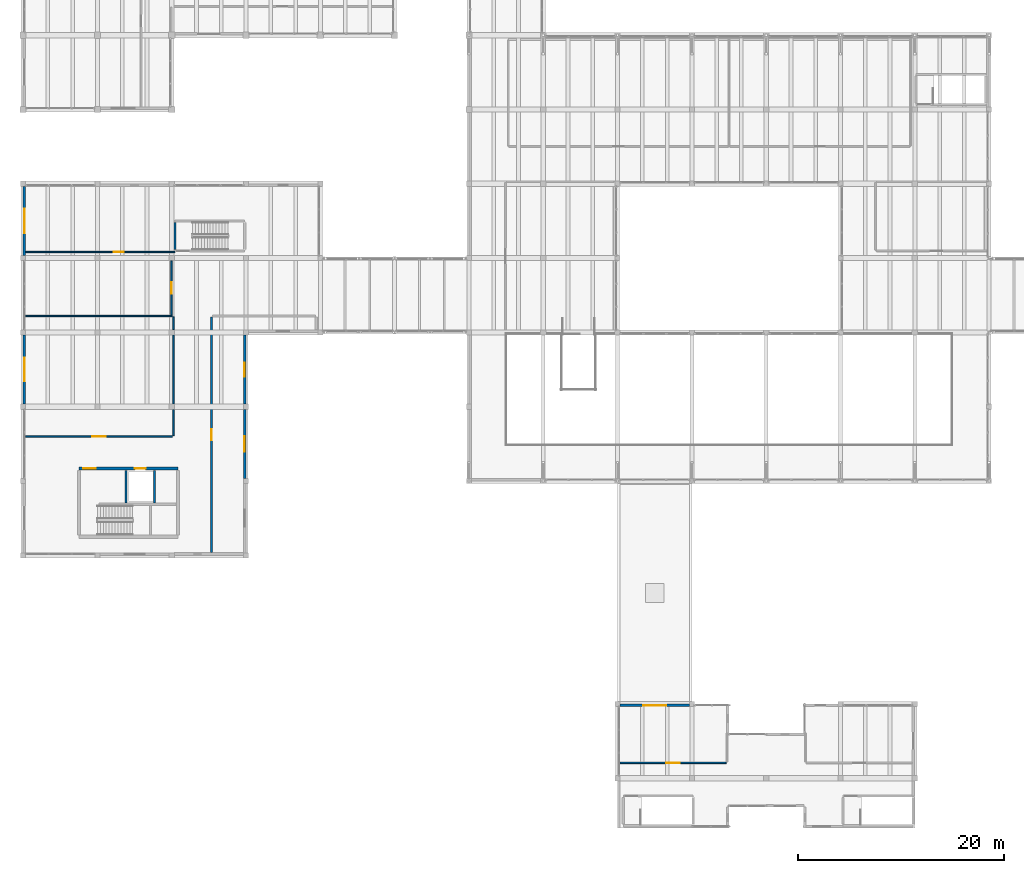
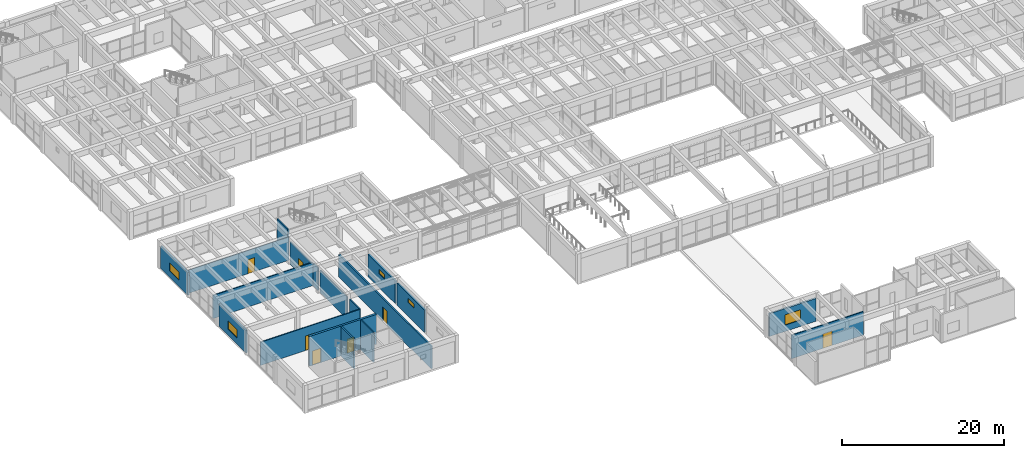
# One storey, part 134 of 153: 18 walls, 7 doors, 5 windows, 12 openings.
"""IFC4 building model written with IfcOpenShell, lengths in metres."""

import ifcopenshell
import ifcopenshell.guid

model = None  # the IFC model being written
_history = None  # IfcOwnerHistory: only IFC2X3 demands one
_inside = {}  # id of a spatial element -> (the spatial element, [elements in it])
_under = {}  # id of a project, library or spatial element -> (it, [spatial elements below it])
_declared = {}  # id of a project -> (the project, [libraries it declares])
_typed = {}  # id of a type object -> (the type object, [elements of that type])
_made_of = {}  # id of a material, layer set ... -> (it, [elements and type objects made of it])


def new_model(schema):
    """Start an empty IFC model of exactly this schema.

    Asked for "IFC4X3", IfcOpenShell would pick the latest addendum, in which some entities
    have other attributes; the version numbers below select the first issue.
    IFC2X3 requires an IfcOwnerHistory on every rooted entity: one is made here for all.
    """
    global model, _history
    if schema == "IFC4X3":
        model = ifcopenshell.file(schema_version=(4, 3, 0, 0))
    else:
        model = ifcopenshell.file(schema=schema)
    _inside.clear()
    _under.clear()
    _declared.clear()
    _typed.clear()
    _made_of.clear()
    _history = None
    if model.schema == "IFC2X3":
        org = make("IfcOrganization", Name="unknown")
        user = make(
            "IfcPersonAndOrganization",
            ThePerson=make("IfcPerson", FamilyName="unknown"),
            TheOrganization=org,
        )
        app = make(
            "IfcApplication",
            ApplicationDeveloper=org,
            Version="unknown",
            ApplicationFullName="unknown",
            ApplicationIdentifier="unknown",
        )
        _history = make(
            "IfcOwnerHistory",
            OwningUser=user,
            OwningApplication=app,
            ChangeAction="ADDED",
            CreationDate=0,
        )
    return model


def make(cls, **values):
    """One entity of the class cls with the attributes given. An attribute that is None is left unset."""
    return model.create_entity(
        cls, **{name: value for name, value in values.items() if value is not None}
    )


def rooted(cls, **values):
    """An entity with a GlobalId (a new one), such as an element, a storey or a relation."""
    return make(cls, GlobalId=ifcopenshell.guid.new(), OwnerHistory=_history, **values)


def si_unit(unit_type, name, prefix=None):
    """IfcSIUnit, for example si_unit("LENGTHUNIT", "METRE", prefix="MILLI")."""
    return make("IfcSIUnit", UnitType=unit_type, Prefix=prefix, Name=name)


def assignment(units):
    """IfcUnitAssignment: the units of a project."""
    return None if units is None else make("IfcUnitAssignment", Units=units)


def point(xyz):
    """IfcCartesianPoint."""
    return None if xyz is None else make("IfcCartesianPoint", Coordinates=xyz)


def direction(xyz):
    """IfcDirection."""
    return None if xyz is None else make("IfcDirection", DirectionRatios=xyz)


def frame(location, z_axis=None, x_axis=None):
    """IfcAxis2Placement3D, a coordinate frame: its origin and axes. An axis left out is left unset."""
    return make(
        "IfcAxis2Placement3D",
        Location=point(location),
        Axis=direction(z_axis),
        RefDirection=direction(x_axis),
    )


def frame_2d(location, x_axis=None):
    """IfcAxis2Placement2D, a coordinate frame in the plane: its origin and x axis."""
    return make(
        "IfcAxis2Placement2D", Location=point(location), RefDirection=direction(x_axis)
    )


def origin():
    """The frame at (0, 0, 0) with its axes left unset."""
    return frame((0.0, 0.0, 0.0))


def place(relative_to, where):
    """IfcLocalPlacement: puts the frame where relative to a parent placement (None: the world)."""
    return make(
        "IfcLocalPlacement", PlacementRelTo=relative_to, RelativePlacement=where
    )


def context(
    kind, dimensions, precision=None, world=None, true_north=None, identifier=None
):
    """IfcGeometricRepresentationContext, for example the 3D "Model" context."""
    return make(
        "IfcGeometricRepresentationContext",
        ContextIdentifier=identifier,
        ContextType=kind,
        CoordinateSpaceDimension=dimensions,
        Precision=precision,
        WorldCoordinateSystem=world,
        TrueNorth=true_north,
    )


def subcontext(parent, identifier, kind, view, scale=None):
    """IfcGeometricRepresentationSubContext, for example "Body" below "Model"."""
    return make(
        "IfcGeometricRepresentationSubContext",
        ContextIdentifier=identifier,
        ContextType=kind,
        ParentContext=parent,
        TargetScale=scale,
        TargetView=view,
    )


def project(units=None, contexts=None):
    """IfcProject with its units and contexts."""
    return rooted(
        "IfcProject",
        Name="project",
        RepresentationContexts=contexts,
        UnitsInContext=assignment(units),
    )


def spatial(cls, under=None, at=None, **own):
    """A site, building, storey or space (cls), placed at a placement, below another one or the project."""
    s = rooted(cls, ObjectPlacement=at, **own)
    if under is not None:
        _under.setdefault(under.id(), (under, []))[1].append(s)
    return s


def profile(cls, at=None, kind="AREA", **sizes):
    """A parametric profile (cls). Its sizes go by their IFC names, for example OverallWidth=200.0."""
    return make(cls, ProfileType=kind, Position=at, **sizes)


def rectangle(**sizes):
    """IfcRectangleProfileDef."""
    return profile("IfcRectangleProfileDef", **sizes)


def extrude(swept, where, along, depth):
    """IfcExtrudedAreaSolid: the profile swept, set in the frame where, extruded along a direction by depth."""
    return make(
        "IfcExtrudedAreaSolid",
        SweptArea=swept,
        Position=where,
        ExtrudedDirection=direction(along),
        Depth=depth,
    )


def shape(context_of_items, identifier, shape_type, items):
    """IfcShapeRepresentation: the items that make up one representation, for example the "Body"."""
    return make(
        "IfcShapeRepresentation",
        ContextOfItems=context_of_items,
        RepresentationIdentifier=identifier,
        RepresentationType=shape_type,
        Items=items,
    )


def material(Name=None, Category=None):
    """IfcMaterial."""
    return make("IfcMaterial", Name=Name, Category=Category)


def layer(
    of_material, thickness, ventilated=None, Name=None, Category=None, Priority=None
):
    """IfcMaterialLayer: one layer of a wall or slab, of a material (None: an air gap)."""
    return make(
        "IfcMaterialLayer",
        Material=of_material,
        LayerThickness=thickness,
        IsVentilated=ventilated,
        Name=Name,
        Category=Category,
        Priority=Priority,
    )


def layer_set(layers, Name=None):
    """IfcMaterialLayerSet."""
    return make("IfcMaterialLayerSet", MaterialLayers=layers, LayerSetName=Name)


def made_of(thing, what):
    """Note that an element or type object is made of a material, layer set ...; save() writes the relation."""
    if what is not None:
        _made_of.setdefault(what.id(), (what, []))[1].append(thing)
    return thing


def type_object(cls, material=None, **own):
    """A type object (cls), such as IfcWallType, which elements share."""
    return made_of(rooted(cls, **own), material)


def element(
    cls,
    number,
    at=None,
    inside=None,
    cuts=None,
    type_object=None,
    material=None,
    context=None,
    identifier="Body",
    shape_type=None,
    held_by="IfcProductDefinitionShape",
    body=None,
    shapes=None,
    **own,
):
    """One element of the class cls, such as IfcWall. Its Tag is "e" and its number.

    at: its placement. inside: the storey or other place that contains it. cuts: it is an
    opening in that element (IfcRelVoidsElement). A single representation is given by context,
    identifier, shape_type and body (its items); several are given by shapes. held_by: the class
    of the entity that holds the representations. save() writes the other relations.
    """
    e = rooted(cls, Tag="e%d" % number, ObjectPlacement=at, **own)
    if body is not None:
        shapes = [shape(context, identifier, shape_type, body)]
    if shapes is not None:
        e.Representation = make(held_by, Representations=shapes)
    if inside is not None:
        _inside.setdefault(inside.id(), (inside, []))[1].append(e)
    if cuts is not None:
        rooted(
            "IfcRelVoidsElement", RelatingBuildingElement=cuts, RelatedOpeningElement=e
        )
    if type_object is not None:
        _typed.setdefault(type_object.id(), (type_object, []))[1].append(e)
    return made_of(e, material)


def fill(opening, filler):
    """IfcRelFillsElement: the door or window that sits in an opening."""
    return rooted(
        "IfcRelFillsElement",
        RelatingOpeningElement=opening,
        RelatedBuildingElement=filler,
    )


def aggregate(whole, parts):
    """IfcRelAggregates: a whole, such as a stair, and the parts it consists of."""
    return rooted("IfcRelAggregates", RelatingObject=whole, RelatedObjects=parts)


def save(model, path):
    """Write the relations noted so far, then the file.

    IfcRelAggregates (storeys below a building ...), IfcRelContainedInSpatialStructure (elements
    in a storey), IfcRelDefinesByType, IfcRelAssociatesMaterial and IfcRelDeclares: one each for
    every whole, place, type object, material and project.
    """
    for whole, parts in _under.values():
        aggregate(whole, parts)
    for where, things in _inside.values():
        rooted(
            "IfcRelContainedInSpatialStructure",
            RelatedElements=things,
            RelatingStructure=where,
        )
    for kind, things in _typed.values():
        rooted("IfcRelDefinesByType", RelatedObjects=things, RelatingType=kind)
    for what, things in _made_of.values():
        rooted("IfcRelAssociatesMaterial", RelatedObjects=things, RelatingMaterial=what)
    for by, libraries in _declared.values():
        rooted("IfcRelDeclares", RelatingContext=by, RelatedDefinitions=libraries)
    model.write(path)


model = new_model("IFC4")

# Units and contexts
model_context = context("Model", 3, precision=1e-05, world=origin(), true_north=direction((0.0, 1.0)))
body_context = subcontext(model_context, "Body", "Model", "MODEL_VIEW")
ifc_project = project(units=[si_unit("LENGTHUNIT", "METRE"), si_unit("AREAUNIT", "SQUARE_METRE"), si_unit("VOLUMEUNIT", "CUBIC_METRE"), si_unit("PLANEANGLEUNIT", "RADIAN"), si_unit("MASSUNIT", "GRAM", prefix="KILO")], contexts=[model_context])

# Site, building, storey
site_placement = place(None, origin())
site = spatial("IfcSite", under=ifc_project, at=site_placement, CompositionType="ELEMENT")
building_placement = place(site_placement, origin())
building = spatial("IfcBuilding", under=site, at=building_placement, Name="Bramvelor Terrace Health Centre", CompositionType="ELEMENT")
storey_placement = place(building_placement, frame((0.0, 0.0, 4.800048828125)))
storey = spatial("IfcBuildingStorey", under=building, at=storey_placement, Name="L02", CompositionType="ELEMENT", Elevation=4.800048828125)

# Wall, opening, door
ifc_material_1 = material(Name="Acoustic clinical partition board", Category="gypsum")
ifc_layer_1 = layer(ifc_material_1, 0.110107421875)
ifc_layer_set_1 = layer_set([ifc_layer_1], Name="Acoustic clinical partition board")
wall_type_1 = type_object("IfcWallType", Name="WL-CLN-110", PredefinedType="PARTITIONING", material=ifc_layer_set_1)
wall_1_placement = place(storey_placement, frame((0.260009765625, 58.199951171875, 0.0), z_axis=(0.0, 0.0, 1.0), x_axis=(1.0, 0.0, 0.0)))
wall_1 = element("IfcWall", 1, at=wall_1_placement, inside=storey, type_object=wall_type_1, Name="L02 Interior Partition 216", PredefinedType="PARTITIONING", context=body_context, shape_type="SweptSolid", body=[
    extrude(rectangle(XDim=14.409912109375, YDim=0.110107421875, at=frame_2d((7.205078125, 0.0))), origin(), (0.0, 0.0, 1.0), 3.5),
])
opening_1_placement = place(wall_1_placement, frame((8.510009765625, 0.0, 0.0)))
opening_1 = element("IfcOpeningElement", 2, at=opening_1_placement, cuts=wall_1, Name="Opening ID-C10", PredefinedType="OPENING", context=body_context, shape_type="SweptSolid", body=[
    extrude(rectangle(XDim=0.989990234375, YDim=2.1201171875, at=frame_2d((0.4951171875, 1.06005859375))), frame((0.0, 0.06494140625, 0.0), z_axis=(0.0, -1.0, 0.0), x_axis=(1.0, 0.0, 0.0)), (0.0, 0.0, 1.0), 0.130126953125),
])
ifc_material_2 = material(Name="Solid-core acoustic timber laminate", Category="wood")
door_type_1 = type_object("IfcDoorType", Name="DR-CLN-10", OperationType="NOTDEFINED", PredefinedType="DOOR", material=ifc_material_2)
door_1_placement = place(opening_1_placement, origin())
door_1 = element("IfcDoor", 3, at=door_1_placement, inside=storey, type_object=door_type_1, Name="L02 Orthodontic and Restorative Dental Clinic Clinical Door", OperationType="SINGLE_SWING_RIGHT", OverallHeight=2.1201171875, OverallWidth=0.989990234375, PredefinedType="DOOR", context=body_context, shape_type="SweptSolid", body=[
    extrude(rectangle(XDim=0.989990234375, YDim=2.1201171875, at=frame_2d((0.4951171875, 1.06005859375))), frame((0.0, 0.02490234375, 0.0), z_axis=(0.0, -1.0, 0.0), x_axis=(1.0, 0.0, 0.0)), (0.0, 0.0, 1.0), 0.050048828125),
])
fill(opening_1, door_1)

# Wall
ifc_material_3 = material(Name="Acoustic clinical partition board", Category="gypsum")
ifc_layer_2 = layer(ifc_material_3, 0.1298828125)
ifc_layer_set_2 = layer_set([ifc_layer_2], Name="Acoustic clinical partition board")
wall_type_2 = type_object("IfcWallType", Name="WL-CLN-130", PredefinedType="PARTITIONING", material=ifc_layer_set_2)
wall_2_placement = place(storey_placement, frame((0.22998046875, 51.989990234375, 0.0), z_axis=(0.0, 0.0, 1.0), x_axis=(1.0, 0.0, 0.0)))
element("IfcWall", 4, at=wall_2_placement, inside=storey, type_object=wall_type_2, Name="L02 Interior Partition 211", PredefinedType="PARTITIONING", context=body_context, shape_type="SweptSolid", body=[
    extrude(rectangle(XDim=14.238037109375, YDim=0.1298828125, at=frame_2d((7.119140625, 0.0))), origin(), (0.0, 0.0, 1.0), 3.5),
])

# Wall, opening, door
ifc_material_4 = material(Name="Fire-rated gypsum and mineral wool", Category="gypsum")
ifc_layer_3 = layer(ifc_material_4, 0.139892578125)
ifc_layer_set_3 = layer_set([ifc_layer_3], Name="Fire-rated gypsum and mineral wool")
wall_type_3 = type_object("IfcWallType", Name="WL-COR-140", PredefinedType="PARTITIONING", material=ifc_layer_set_3)
wall_3_placement = place(storey_placement, frame((68.110107421875, 8.701904296875, 0.0), z_axis=(0.0, 0.0, 1.0), x_axis=(-1.0, 0.0, 0.0)))
wall_3 = element("IfcWall", 5, at=wall_3_placement, inside=storey, type_object=wall_type_3, Name="L02 Interior Partition 185", PredefinedType="PARTITIONING", context=body_context, shape_type="SweptSolid", body=[
    extrude(rectangle(XDim=10.280029296875, YDim=0.139892578125, at=frame_2d((5.14013671875, 0.0))), origin(), (0.0, 0.0, 1.0), 3.550048828125),
])
opening_2_placement = place(wall_3_placement, frame((4.47998046875, 0.0, 0.0)))
opening_2 = element("IfcOpeningElement", 6, at=opening_2_placement, cuts=wall_3, Name="Opening FD-05", PredefinedType="OPENING", context=body_context, shape_type="SweptSolid", body=[
    extrude(rectangle(XDim=1.320068359375, YDim=2.199951171875, at=frame_2d((0.66015625, 1.10009765625))), frame((0.0, 0.079833984375, 0.0), z_axis=(0.0, -1.0, 0.0), x_axis=(1.0, 0.0, 0.0)), (0.0, 0.0, 1.0), 0.159912109375),
])
ifc_material_5 = material(Name="Fire-rated steel and vision panel", Category="steel")
door_type_2 = type_object("IfcDoorType", Name="DR-FD60-132", OperationType="NOTDEFINED", PredefinedType="DOOR", material=ifc_material_5)
door_2_placement = place(opening_2_placement, origin())
door_2 = element("IfcDoor", 7, at=door_2_placement, inside=storey, type_object=door_type_2, Name="L02 Occupational Therapy Daily-Living Suite Fire Door", OperationType="SINGLE_SWING_LEFT", OverallHeight=2.199951171875, OverallWidth=1.320068359375, PredefinedType="DOOR", context=body_context, shape_type="SweptSolid", body=[
    extrude(rectangle(XDim=1.320068359375, YDim=2.199951171875, at=frame_2d((0.66015625, 1.10009765625))), frame((0.0, 0.02490234375, 0.0), z_axis=(0.0, -1.0, 0.0), x_axis=(1.0, 0.0, 0.0)), (0.0, 0.0, 1.0), 0.050048828125),
])
fill(opening_2, door_2)

# Walls
wall_4_placement = place(storey_placement, frame((14.55810546875, 51.89990234375, 0.0), z_axis=(0.0, 0.0, 1.0), x_axis=(0.0, -1.0, 0.0)))
element("IfcWall", 8, at=wall_4_placement, inside=storey, type_object=wall_type_3, Name="L02 Interior Partition 212", PredefinedType="PARTITIONING", context=body_context, shape_type="SweptSolid", body=[
    extrude(rectangle(XDim=1.23486328125, YDim=0.139892578125, at=frame_2d((0.617431640625, 0.0))), origin(), (0.0, 0.0, 1.0), 3.39990234375),
])
wall_5_placement = place(storey_placement, frame((14.55810546875, 50.135009765625, 0.0), z_axis=(0.0, 0.0, 1.0), x_axis=(0.0, -1.0, 0.0)))
element("IfcWall", 9, at=wall_5_placement, inside=storey, type_object=wall_type_3, Name="L02 Interior Partition 213", PredefinedType="PARTITIONING", context=body_context, shape_type="SweptSolid", body=[
    extrude(rectangle(XDim=6.669921875, YDim=0.139892578125, at=frame_2d((3.3349609375, 0.0))), origin(), (0.0, 0.0, 1.0), 3.39990234375),
])
wall_6_placement = place(storey_placement, frame((14.55810546875, 42.93505859375, 0.0), z_axis=(0.0, 0.0, 1.0), x_axis=(0.0, -1.0, 0.0)))
element("IfcWall", 10, at=wall_6_placement, inside=storey, type_object=wall_type_3, Name="L02 Interior Partition 214", PredefinedType="PARTITIONING", context=body_context, shape_type="SweptSolid", body=[
    extrude(rectangle(XDim=2.53515625, YDim=0.139892578125, at=frame_2d((1.267578125, 0.0))), origin(), (0.0, 0.0, 1.0), 3.39990234375),
])

# Wall, opening, door
wall_7_placement = place(storey_placement, frame((14.468017578125, 40.31005859375, 0.0), z_axis=(0.0, 0.0, 1.0), x_axis=(-1.0, 0.0, 0.0)))
wall_7 = element("IfcWall", 11, at=wall_7_placement, inside=storey, type_object=wall_type_3, Name="L02 Interior Partition 215", PredefinedType="PARTITIONING", context=body_context, shape_type="SweptSolid", body=[
    extrude(rectangle(XDim=14.238037109375, YDim=0.139892578125, at=frame_2d((7.119140625, 0.0))), origin(), (0.0, 0.0, 1.0), 3.5),
])
opening_3_placement = place(wall_7_placement, frame((6.458984375, 0.0, 0.0)))
opening_3 = element("IfcOpeningElement", 12, at=opening_3_placement, cuts=wall_7, Name="Opening FD-05", PredefinedType="OPENING", context=body_context, shape_type="SweptSolid", body=[
    extrude(rectangle(XDim=1.320068359375, YDim=2.199951171875, at=frame_2d((0.66015625, 1.10009765625))), frame((0.0, 0.079833984375, 0.0), z_axis=(0.0, -1.0, 0.0), x_axis=(1.0, 0.0, 0.0)), (0.0, 0.0, 1.0), 0.159912109375),
])
door_3_placement = place(opening_3_placement, origin())
door_3 = element("IfcDoor", 13, at=door_3_placement, inside=storey, type_object=door_type_2, Name="L02 Community Dental Operatory Bay 1 Fire Door", OperationType="SINGLE_SWING_RIGHT", OverallHeight=2.199951171875, OverallWidth=1.320068359375, PredefinedType="DOOR", context=body_context, shape_type="SweptSolid", body=[
    extrude(rectangle(XDim=1.320068359375, YDim=2.199951171875, at=frame_2d((0.66015625, 1.10009765625))), frame((0.0, 0.02490234375, 0.0), z_axis=(0.0, -1.0, 0.0), x_axis=(1.0, 0.0, 0.0)), (0.0, 0.0, 1.0), 0.050048828125),
])
fill(opening_3, door_3)

wall_8_placement = place(storey_placement, frame((14.39990234375, 57.3349609375, 0.0), z_axis=(0.0, 0.0, 1.0), x_axis=(0.0, -1.0, 0.0)))
wall_8 = element("IfcWall", 14, at=wall_8_placement, inside=storey, type_object=wall_type_3, Name="L02 Interior Partition 217", PredefinedType="PARTITIONING", context=body_context, shape_type="SweptSolid", body=[
    extrude(rectangle(XDim=5.244873046875, YDim=0.139892578125, at=frame_2d((2.62255859375, 0.0))), origin(), (0.0, 0.0, 1.0), 3.39990234375),
])
opening_4_placement = place(wall_8_placement, frame((2.0625, 0.0, 0.0)))
opening_4 = element("IfcOpeningElement", 15, at=opening_4_placement, cuts=wall_8, Name="Opening FD-06", PredefinedType="OPENING", context=body_context, shape_type="SweptSolid", body=[
    extrude(rectangle(XDim=1.1201171875, YDim=2.139892578125, at=frame_2d((0.56005859375, 1.06982421875))), frame((0.0, 0.079833984375, 0.0), z_axis=(0.0, -1.0, 0.0), x_axis=(1.0, 0.0, 0.0)), (0.0, 0.0, 1.0), 0.159912109375),
])
ifc_material_6 = material(Name="Fire-rated steel and vision panel", Category="steel")
door_type_3 = type_object("IfcDoorType", Name="DR-FD60-112", OperationType="NOTDEFINED", PredefinedType="DOOR", material=ifc_material_6)
door_4_placement = place(opening_4_placement, origin())
door_4 = element("IfcDoor", 16, at=door_4_placement, inside=storey, type_object=door_type_3, Name="L02 Paediatric Dental Prevention Clinic Fire Door", OperationType="SINGLE_SWING_LEFT", OverallHeight=2.139892578125, OverallWidth=1.1201171875, PredefinedType="DOOR", context=body_context, shape_type="SweptSolid", body=[
    extrude(rectangle(XDim=1.1201171875, YDim=2.139892578125, at=frame_2d((0.56005859375, 1.06982421875))), frame((0.0, 0.02490234375, 0.0), z_axis=(0.0, -1.0, 0.0), x_axis=(1.0, 0.0, 0.0)), (0.0, 0.0, 1.0), 0.050048828125),
])
fill(opening_4, door_4)

# Walls
ifc_material_7 = material(Name="Concrete C40/50", Category="concrete")
ifc_layer_4 = layer(ifc_material_7, 0.199951171875)
ifc_layer_set_4 = layer_set([ifc_layer_4], Name="Concrete C40/50")
wall_type_4 = type_object("IfcWallType", Name="WL-CORE-200", PredefinedType="SHEAR", material=ifc_layer_set_4)
for number, where, z_axis, x_axis, name in (
    (17, (9.949951171875, 33.8701171875, 0.0), (0.0, 0.0, 1.0), (0.0, 1.0, 0.0), "C3 L02 Core Shear Wall"),
    (18, (12.75, 33.8701171875, 0.0), (0.0, 0.0, 1.0), (0.0, 1.0, 0.0), "C3 L02 Lift Divider Wall"),
):
    element("IfcWall", number, at=place(storey_placement, frame(where, z_axis=z_axis, x_axis=x_axis)), inside=storey, type_object=wall_type_4, Name=name, PredefinedType="SHEAR", context=body_context, shape_type="SweptSolid", body=[
        extrude(rectangle(XDim=3.14990234375, YDim=0.199951171875, at=frame_2d((1.574951171875, 0.0))), origin(), (0.0, 0.0, 1.0), 4.5),
    ])
wall_9_placement = place(storey_placement, frame((14.699951171875, 58.449951171875, 0.0), z_axis=(0.0, 0.0, 1.0), x_axis=(0.0, 1.0, 0.0)))
element("IfcWall", 19, at=wall_9_placement, inside=storey, type_object=wall_type_4, Name="ST-6 L02 Stair Shaft Wall", PredefinedType="SHEAR", context=body_context, shape_type="SweptSolid", body=[
    extrude(rectangle(XDim=2.60009765625, YDim=0.199951171875, at=frame_2d((1.300048828125, 0.0))), origin(), (0.0, 0.0, 1.0), 4.5),
])

# Wall, openings, doors
ifc_material_8 = material(Name="Concrete C40/50", Category="concrete")
ifc_layer_5 = layer(ifc_material_8, 0.300048828125)
ifc_layer_set_5 = layer_set([ifc_layer_5], Name="Concrete C40/50")
wall_type_5 = type_object("IfcWallType", Name="WL-CORE-300", PredefinedType="SHEAR", material=ifc_layer_set_5)
wall_10_placement = place(storey_placement, frame((5.39990234375, 37.199951171875, 0.0), z_axis=(0.0, 0.0, 1.0), x_axis=(1.0, 0.0, 0.0)))
wall_10 = element("IfcWall", 20, at=wall_10_placement, inside=storey, type_object=wall_type_5, Name="C3 L02 Core Shear Wall", PredefinedType="SHEAR", context=body_context, shape_type="SweptSolid", body=[
    extrude(rectangle(XDim=9.60009765625, YDim=0.300048828125, at=frame_2d((4.800048828125, 0.0))), origin(), (0.0, 0.0, 1.0), 4.5),
])
opening_5_placement = place(wall_10_placement, frame((0.449951171875, 0.0, 0.0)))
opening_5 = element("IfcOpeningElement", 21, at=opening_5_placement, cuts=wall_10, Name="Opening FD-02", PredefinedType="OPENING", context=body_context, shape_type="SweptSolid", body=[
    extrude(rectangle(XDim=1.179931640625, YDim=2.159912109375, at=frame_2d((0.58984375, 1.080078125))), frame((0.0, 0.159912109375, 0.0), z_axis=(0.0, -1.0, 0.0), x_axis=(1.0, 0.0, 0.0)), (0.0, 0.0, 1.0), 0.320068359375),
])
opening_6_placement = place(wall_10_placement, frame((5.43994140625, 0.0, 0.0)))
opening_6 = element("IfcOpeningElement", 22, at=opening_6_placement, cuts=wall_10, Name="Opening LD-2", PredefinedType="OPENING", context=body_context, shape_type="SweptSolid", body=[
    extrude(rectangle(XDim=1.02001953125, YDim=2.1201171875, at=frame_2d((0.510009765625, 1.06005859375))), frame((0.0, 0.159912109375, 0.0), z_axis=(0.0, -1.0, 0.0), x_axis=(1.0, 0.0, 0.0)), (0.0, 0.0, 1.0), 0.320068359375),
])
ifc_material_9 = material(Name="Fire-rated steel and vision panel", Category="steel")
door_type_4 = type_object("IfcDoorType", Name="DR-FD90-118", OperationType="NOTDEFINED", PredefinedType="DOOR", material=ifc_material_9)
door_5_placement = place(opening_5_placement, origin())
door_5 = element("IfcDoor", 23, at=door_5_placement, inside=storey, type_object=door_type_4, Name="C3 L02 Core Stair Fire Door", OperationType="SINGLE_SWING_LEFT", OverallHeight=2.159912109375, OverallWidth=1.179931640625, PredefinedType="DOOR", context=body_context, shape_type="SweptSolid", body=[
    extrude(rectangle(XDim=1.179931640625, YDim=2.159912109375, at=frame_2d((0.58984375, 1.080078125))), frame((0.0, 0.02490234375, 0.0), z_axis=(0.0, -1.0, 0.0), x_axis=(1.0, 0.0, 0.0)), (0.0, 0.0, 1.0), 0.050048828125),
])
fill(opening_5, door_5)
ifc_material_10 = material(Name="Brushed stainless steel 316", Category="steel")
door_type_5 = type_object("IfcDoorType", Name="DR-LIFT-PS102", OperationType="SLIDING_TO_LEFT", PredefinedType="DOOR", material=ifc_material_10)
door_6_placement = place(opening_6_placement, origin())
door_6 = element("IfcDoor", 24, at=door_6_placement, inside=storey, type_object=door_type_5, Name="Lift LP-03 L02 Sliding Landing Door", OperationType="SLIDING_TO_LEFT", OverallHeight=2.1201171875, OverallWidth=1.02001953125, PredefinedType="DOOR", context=body_context, shape_type="SweptSolid", body=[
    extrude(rectangle(XDim=1.02001953125, YDim=2.1201171875, at=frame_2d((0.510009765625, 1.06005859375))), frame((0.0, 0.02490234375, 0.0), z_axis=(0.0, -1.0, 0.0), x_axis=(1.0, 0.0, 0.0)), (0.0, 0.0, 1.0), 0.050048828125),
])
fill(opening_6, door_6)

# Wall, opening, window
ifc_material_11 = material(Name="Concrete C40/50", Category="concrete")
ifc_layer_6 = layer(ifc_material_11, 0.260009765625)
ifc_layer_set_6 = layer_set([ifc_layer_6], Name="Concrete C40/50")
wall_type_6 = type_object("IfcWallType", Name="WL-EXT-RAD260", PredefinedType="SOLIDWALL", material=ifc_layer_set_6)
wall_11_placement = place(storey_placement, frame((21.469970703125, 50.155029296875, 0.0), z_axis=(0.0, 0.0, 1.0), x_axis=(0.0, -1.0, 0.0)))
wall_11 = element("IfcWall", 25, at=wall_11_placement, inside=storey, type_object=wall_type_6, Name="L02 Exterior Facade Wall 95", PredefinedType="SOLIDWALL", context=body_context, shape_type="SweptSolid", body=[
    extrude(rectangle(XDim=6.7099609375, YDim=0.260009765625, at=frame_2d((3.35498046875, 0.0))), origin(), (0.0, 0.0, 1.0), 3.39990234375),
])
opening_7_placement = place(wall_11_placement, frame((2.679931640625, 0.0, 2.10009765625)))
opening_7 = element("IfcOpeningElement", 26, at=opening_7_placement, cuts=wall_11, Name="Opening WN-05", PredefinedType="OPENING", context=body_context, shape_type="SweptSolid", body=[
    extrude(rectangle(XDim=1.35009765625, YDim=0.64990234375, at=frame_2d((0.675048828125, 0.324951171875))), frame((0.0, 0.139892578125, 0.0), z_axis=(0.0, -1.0, 0.0), x_axis=(1.0, 0.0, 0.0)), (0.0, 0.0, 1.0), 0.280029296875),
])
ifc_material_12 = material(Name="Double low-E laminated glass", Category="glass")
window_type_1 = type_object("IfcWindowType", Name="WIN-EXT-05", PartitioningType="SINGLE_PANEL", PredefinedType="WINDOW", material=ifc_material_12)
window_1_placement = place(opening_7_placement, origin())
window_1 = element("IfcWindow", 27, at=window_1_placement, inside=storey, type_object=window_type_1, Name="L02 Scheduled Clinical Window 89", OverallHeight=0.64990234375, OverallWidth=1.35009765625, PartitioningType="SINGLE_PANEL", PredefinedType="WINDOW", context=body_context, shape_type="SweptSolid", body=[
    extrude(rectangle(XDim=1.35009765625, YDim=0.64990234375, at=frame_2d((0.675048828125, 0.324951171875))), frame((0.0, 0.030029296875, 0.0), z_axis=(0.0, -1.0, 0.0), x_axis=(1.0, 0.0, 0.0)), (0.0, 0.0, 1.0), 0.06005859375),
])
fill(opening_7, window_1)

wall_12_placement = place(storey_placement, frame((21.469970703125, 42.955078125, 0.0), z_axis=(0.0, 0.0, 1.0), x_axis=(0.0, -1.0, 0.0)))
wall_12 = element("IfcWall", 28, at=wall_12_placement, inside=storey, type_object=wall_type_6, Name="L02 Exterior Facade Wall 96", PredefinedType="SOLIDWALL", context=body_context, shape_type="SweptSolid", body=[
    extrude(rectangle(XDim=6.7099609375, YDim=0.260009765625, at=frame_2d((3.35498046875, 0.0))), origin(), (0.0, 0.0, 1.0), 3.39990234375),
])
opening_8_placement = place(wall_12_placement, frame((2.60498046875, 0.0, 2.10009765625)))
opening_8 = element("IfcOpeningElement", 29, at=opening_8_placement, cuts=wall_12, Name="Opening WN-06", PredefinedType="OPENING", context=body_context, shape_type="SweptSolid", body=[
    extrude(rectangle(XDim=1.5, YDim=0.64990234375, at=frame_2d((0.75, 0.324951171875))), frame((0.0, 0.139892578125, 0.0), z_axis=(0.0, -1.0, 0.0), x_axis=(1.0, 0.0, 0.0)), (0.0, 0.0, 1.0), 0.280029296875),
])
ifc_material_13 = material(Name="Double low-E laminated glass", Category="glass")
window_type_2 = type_object("IfcWindowType", Name="WIN-EXT-06", PartitioningType="SINGLE_PANEL", PredefinedType="WINDOW", material=ifc_material_13)
window_2_placement = place(opening_8_placement, origin())
window_2 = element("IfcWindow", 30, at=window_2_placement, inside=storey, type_object=window_type_2, Name="L02 Scheduled Clinical Window 90", OverallHeight=0.64990234375, OverallWidth=1.5, PartitioningType="SINGLE_PANEL", PredefinedType="WINDOW", context=body_context, shape_type="SweptSolid", body=[
    extrude(rectangle(XDim=1.5, YDim=0.64990234375, at=frame_2d((0.75, 0.324951171875))), frame((0.0, 0.030029296875, 0.0), z_axis=(0.0, -1.0, 0.0), x_axis=(1.0, 0.0, 0.0)), (0.0, 0.0, 1.0), 0.06005859375),
])
fill(opening_8, window_2)

ifc_material_14 = material(Name="Precast concrete C40/50", Category="concrete")
ifc_layer_7 = layer(ifc_material_14, 0.239990234375)
ifc_layer_set_7 = layer_set([ifc_layer_7], Name="Precast concrete C40/50")
wall_type_7 = type_object("IfcWallType", Name="WL-EXT-RC240", PredefinedType="SOLIDWALL", material=ifc_layer_set_7)
wall_13_placement = place(storey_placement, frame((0.1298828125, 43.445068359375, 0.0), z_axis=(0.0, 0.0, 1.0), x_axis=(0.0, 1.0, 0.0)))
wall_13 = element("IfcWall", 31, at=wall_13_placement, inside=storey, type_object=wall_type_7, Name="L02 Exterior Facade Wall 103", PredefinedType="SOLIDWALL", context=body_context, shape_type="SweptSolid", body=[
    extrude(rectangle(XDim=6.7099609375, YDim=0.239990234375, at=frame_2d((3.35498046875, 0.0))), origin(), (0.0, 0.0, 1.0), 3.39990234375),
])
opening_9_placement = place(wall_13_placement, frame((2.22998046875, 0.0, 0.949951171875)))
opening_9 = element("IfcOpeningElement", 32, at=opening_9_placement, cuts=wall_13, Name="Opening WN-35", PredefinedType="OPENING", context=body_context, shape_type="SweptSolid", body=[
    extrude(rectangle(XDim=2.25, YDim=1.25, at=frame_2d((1.125, 0.625))), frame((0.0, 0.1298828125, 0.0), z_axis=(0.0, -1.0, 0.0), x_axis=(1.0, 0.0, 0.0)), (0.0, 0.0, 1.0), 0.260009765625),
])
ifc_material_15 = material(Name="Double low-E laminated glass", Category="glass")
window_type_3 = type_object("IfcWindowType", Name="WIN-EXT-35", PartitioningType="SINGLE_PANEL", PredefinedType="WINDOW", material=ifc_material_15)
window_3_placement = place(opening_9_placement, origin())
window_3 = element("IfcWindow", 33, at=window_3_placement, inside=storey, type_object=window_type_3, Name="L02 Scheduled Clinical Window 95", OverallHeight=1.25, OverallWidth=2.25, PartitioningType="SINGLE_PANEL", PredefinedType="WINDOW", context=body_context, shape_type="SweptSolid", body=[
    extrude(rectangle(XDim=2.25, YDim=1.25, at=frame_2d((1.125, 0.625))), frame((0.0, 0.030029296875, 0.0), z_axis=(0.0, -1.0, 0.0), x_axis=(1.0, 0.0, 0.0)), (0.0, 0.0, 1.0), 0.06005859375),
])
fill(opening_9, window_3)

wall_14_placement = place(storey_placement, frame((0.1298828125, 57.844970703125, 0.0), z_axis=(0.0, 0.0, 1.0), x_axis=(0.0, 1.0, 0.0)))
wall_14 = element("IfcWall", 34, at=wall_14_placement, inside=storey, type_object=wall_type_7, Name="L02 Exterior Facade Wall 105", PredefinedType="SOLIDWALL", context=body_context, shape_type="SweptSolid", body=[
    extrude(rectangle(XDim=6.7099609375, YDim=0.239990234375, at=frame_2d((3.35498046875, 0.0))), origin(), (0.0, 0.0, 1.0), 3.39990234375),
])
opening_10_placement = place(wall_14_placement, frame((2.155029296875, 0.0, 0.949951171875)))
opening_10 = element("IfcOpeningElement", 35, at=opening_10_placement, cuts=wall_14, Name="Opening WN-36", PredefinedType="OPENING", context=body_context, shape_type="SweptSolid", body=[
    extrude(rectangle(XDim=2.39990234375, YDim=1.25, at=frame_2d((1.199951171875, 0.625))), frame((0.0, 0.1298828125, 0.0), z_axis=(0.0, -1.0, 0.0), x_axis=(1.0, 0.0, 0.0)), (0.0, 0.0, 1.0), 0.260009765625),
])
ifc_material_16 = material(Name="Double low-E laminated glass", Category="glass")
window_type_4 = type_object("IfcWindowType", Name="WIN-EXT-36", PartitioningType="SINGLE_PANEL", PredefinedType="WINDOW", material=ifc_material_16)
window_4_placement = place(opening_10_placement, origin())
window_4 = element("IfcWindow", 36, at=window_4_placement, inside=storey, type_object=window_type_4, Name="L02 Scheduled Clinical Window 96", OverallHeight=1.25, OverallWidth=2.39990234375, PartitioningType="SINGLE_PANEL", PredefinedType="WINDOW", context=body_context, shape_type="SweptSolid", body=[
    extrude(rectangle(XDim=2.39990234375, YDim=1.25, at=frame_2d((1.199951171875, 0.625))), frame((0.0, 0.030029296875, 0.0), z_axis=(0.0, -1.0, 0.0), x_axis=(1.0, 0.0, 0.0)), (0.0, 0.0, 1.0), 0.06005859375),
])
fill(opening_10, window_4)

wall_15_placement = place(storey_placement, frame((57.844970703125, 14.27001953125, 0.0), z_axis=(0.0, 0.0, 1.0), x_axis=(1.0, 0.0, 0.0)))
wall_15 = element("IfcWall", 37, at=wall_15_placement, inside=storey, type_object=wall_type_7, Name="L02 Exterior Facade Wall 141", PredefinedType="SOLIDWALL", context=body_context, shape_type="SweptSolid", body=[
    extrude(rectangle(XDim=6.7099609375, YDim=0.239990234375, at=frame_2d((3.35498046875, 0.0))), origin(), (0.0, 0.0, 1.0), 3.449951171875),
])
opening_11_placement = place(wall_15_placement, frame((2.22998046875, 0.0, 0.949951171875)))
opening_11 = element("IfcOpeningElement", 38, at=opening_11_placement, cuts=wall_15, Name="Opening WN-47", PredefinedType="OPENING", context=body_context, shape_type="SweptSolid", body=[
    extrude(rectangle(XDim=2.25, YDim=1.550048828125, at=frame_2d((1.125, 0.77490234375))), frame((0.0, 0.1298828125, 0.0), z_axis=(0.0, -1.0, 0.0), x_axis=(1.0, 0.0, 0.0)), (0.0, 0.0, 1.0), 0.260009765625),
])
ifc_material_17 = material(Name="Double low-E laminated glass", Category="glass")
window_type_5 = type_object("IfcWindowType", Name="WIN-EXT-47", PartitioningType="SINGLE_PANEL", PredefinedType="WINDOW", material=ifc_material_17)
window_5_placement = place(opening_11_placement, origin())
window_5 = element("IfcWindow", 39, at=window_5_placement, inside=storey, type_object=window_type_5, Name="L02 Scheduled Clinical Window 107", OverallHeight=1.550048828125, OverallWidth=2.25, PartitioningType="SINGLE_PANEL", PredefinedType="WINDOW", context=body_context, shape_type="SweptSolid", body=[
    extrude(rectangle(XDim=2.25, YDim=1.550048828125, at=frame_2d((1.125, 0.77490234375))), frame((0.0, 0.030029296875, 0.0), z_axis=(0.0, -1.0, 0.0), x_axis=(1.0, 0.0, 0.0)), (0.0, 0.0, 1.0), 0.06005859375),
])
fill(opening_11, window_5)

# Wall, opening, door
ifc_material_18 = material(Name="Concrete C40/50", Category="concrete")
ifc_layer_8 = layer(ifc_material_18, 0.2099609375)
ifc_layer_set_8 = layer_set([ifc_layer_8], Name="Concrete C40/50")
wall_type_8 = type_object("IfcWallType", Name="WL-RAD-210", PredefinedType="SOLIDWALL", material=ifc_layer_set_8)
wall_16_placement = place(storey_placement, frame((18.25, 29.070068359375, 0.0), z_axis=(0.0, 0.0, 1.0), x_axis=(8.5551432e-05, 0.99999999634, 0.0)))
wall_16 = element("IfcWall", 40, at=wall_16_placement, inside=storey, type_object=wall_type_8, Name="L02 Interior Partition 218", PredefinedType="SOLIDWALL", context=body_context, shape_type="SweptSolid", body=[
    extrude(rectangle(XDim=22.829833984375, YDim=0.2099609375, at=frame_2d((11.4150390625, 0.0))), origin(), (0.0, 0.0, 1.0), 3.39990234375),
])
opening_12_placement = place(wall_16_placement, frame((10.89501953125, 0.0, 0.0)))
opening_12 = element("IfcOpeningElement", 41, at=opening_12_placement, cuts=wall_16, Name="Opening FD-07", PredefinedType="OPENING", context=body_context, shape_type="SweptSolid", body=[
    extrude(rectangle(XDim=1.0400390625, YDim=2.1201171875, at=frame_2d((0.52001953125, 1.06005859375))), frame((0.0, 0.114990234375, 0.0), z_axis=(0.0, -1.0, 0.0), x_axis=(1.0, 0.0, 0.0)), (0.0, 0.0, 1.0), 0.22998046875),
])
ifc_material_19 = material(Name="Fire-rated steel and vision panel", Category="steel")
door_type_6 = type_object("IfcDoorType", Name="DR-FD60-104", OperationType="NOTDEFINED", PredefinedType="DOOR", material=ifc_material_19)
door_7_placement = place(opening_12_placement, origin())
door_7 = element("IfcDoor", 42, at=door_7_placement, inside=storey, type_object=door_type_6, Name="L02 Dental Panoramic X-Ray and Sterilization Fire Door", OperationType="SINGLE_SWING_LEFT", OverallHeight=2.1201171875, OverallWidth=1.0400390625, PredefinedType="DOOR", context=body_context, shape_type="SweptSolid", body=[
    extrude(rectangle(XDim=1.0400390625, YDim=2.1201171875, at=frame_2d((0.52001953125, 1.06005859375))), frame((0.0, 0.02490234375, 0.0), z_axis=(0.0, -1.0, 0.0), x_axis=(1.0, 0.0, 0.0)), (0.0, 0.0, 1.0), 0.050048828125),
])
fill(opening_12, door_7)

save(model, "model.ifc")
